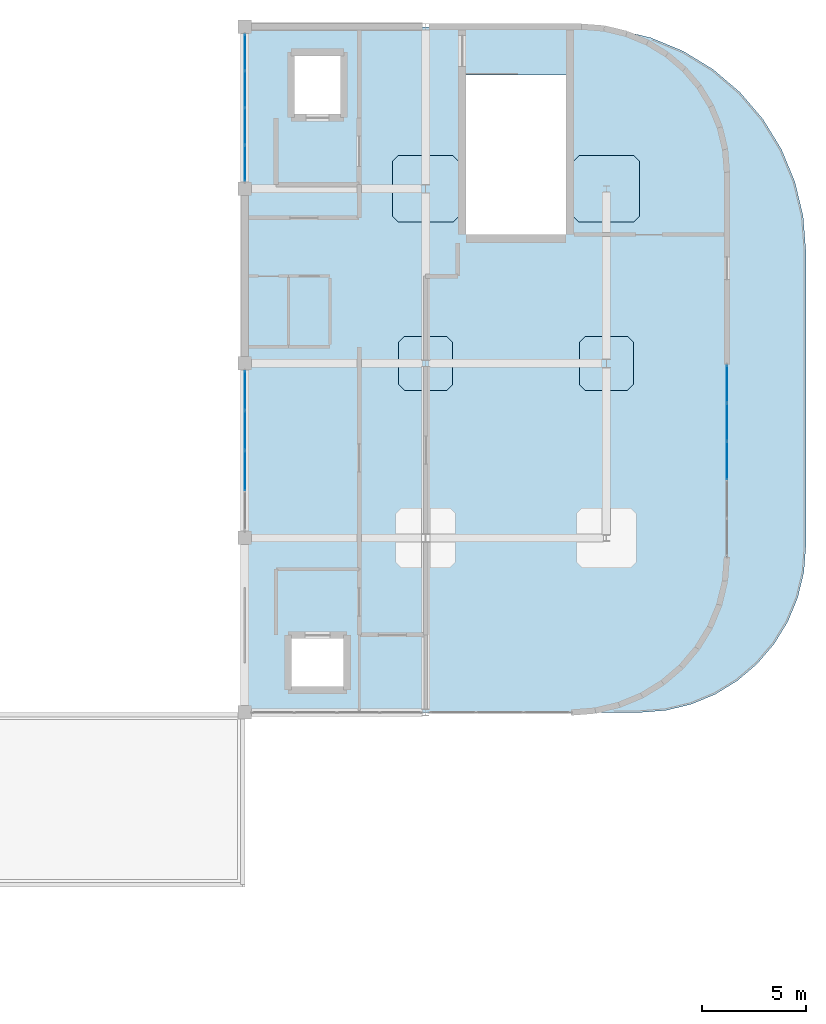
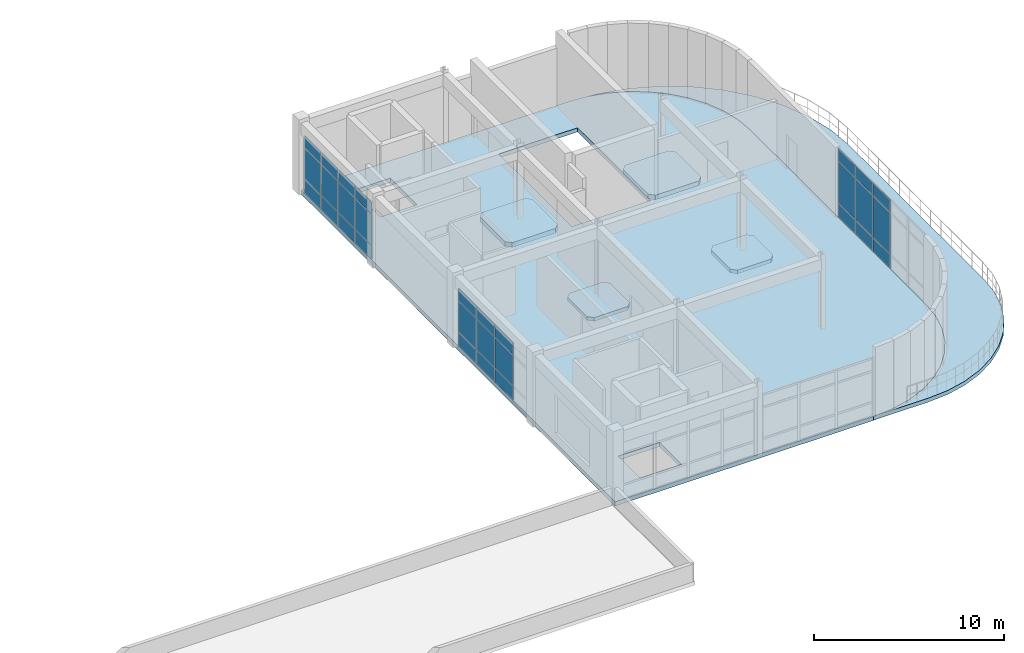
# One storey, part 35 of 41: 30 plates, 6 slabs, 3 elements without a shape of their own.
"""IFC4 building model written with IfcOpenShell, lengths in metres."""

from ifc_helpers import new_model, si_unit, derived_unit, direction, frame, origin, origin_2d, place, context, subcontext, project, spatial, polyline, rectangle, outline, extrude, material, layer, layer_set, type_object, element, aggregate, save


model = new_model("IFC4")

# Units and contexts
model_context = context("Model", 3, precision=1e-05, world=origin(), true_north=direction((0.0, 1.0)))
body_context = subcontext(model_context, "Body", "Model", "MODEL_VIEW")
ifc_project = project(units=[si_unit("LENGTHUNIT", "METRE"), si_unit("AREAUNIT", "SQUARE_METRE"), si_unit("VOLUMEUNIT", "CUBIC_METRE"), si_unit("PLANEANGLEUNIT", "RADIAN"), si_unit("MASSUNIT", "GRAM", prefix="KILO"), derived_unit("THERMALTRANSMITTANCEUNIT", [(si_unit("MASSUNIT", "GRAM", prefix="KILO"), 1), (si_unit("TIMEUNIT", "SECOND"), -3), (si_unit("THERMODYNAMICTEMPERATUREUNIT", "KELVIN"), -1)])], contexts=[model_context])

# Site, building, storey
site_placement = place(None, origin())
site = spatial("IfcSite", under=ifc_project, at=site_placement, CompositionType="ELEMENT")
building_placement = place(site_placement, origin())
building = spatial("IfcBuilding", under=site, at=building_placement, Name="Qinzheling Arcade Emporium", CompositionType="ELEMENT")
storey_placement = place(building_placement, frame((0.0, 0.0, 36.300048828125)))
storey = spatial("IfcBuildingStorey", under=building, at=storey_placement, Name="L08", CompositionType="ELEMENT", Elevation=36.300048828125)

# Slabs
ifc_material_1 = material(Name="Concrete C40", Category="concrete")
ifc_layer_1 = layer(ifc_material_1, 0.264892578125, Name="Concrete C40", Category="concrete")
ifc_layer_set_1 = layer_set([ifc_layer_1], Name="Concrete C40")
slab_type_1 = type_object("IfcSlabType", Name="Buying Office Flat Slab 265 C40", PredefinedType="FLOOR", material=ifc_layer_set_1)
slab_1_placement = place(storey_placement, frame((0.0, 0.0, -0.26513671875)))
element("IfcSlab", 1, at=slab_1_placement, inside=storey, type_object=slab_type_1, Name="Floor Slab SLB-L08-V6", PredefinedType="FLOOR", context=body_context, shape_type="SweptSolid", body=[
    extrude(outline(polyline([(104.39990234375, 106.800048828125), (104.39990234375, 73.800048828125), (120.10009765625, 73.800048828125), (121.27294921875, 73.89208984375), (122.41796875, 74.1669921875), (123.5048828125, 74.616943359375), (124.508056640625, 75.23193359375), (125.403076171875, 75.9970703125), (126.16796875, 76.89208984375), (126.782958984375, 77.89501953125), (127.23291015625, 78.98193359375), (127.508056640625, 80.126953125), (127.60009765625, 81.300048828125), (127.60009765625, 99.800048828125), (127.513916015625, 100.89501953125), (127.257080078125, 101.962890625), (126.8369140625, 102.97802734375), (126.262939453125, 103.9140625), (125.550048828125, 104.75), (124.714111328125, 105.462890625), (123.778076171875, 106.037109375), (122.762939453125, 106.45703125), (121.695068359375, 106.714111328125), (120.60009765625, 106.800048828125), (104.39990234375, 106.800048828125)]), holes=[polyline([(119.844970703125, 96.800048828125), (115.054931640625, 96.800048828125), (115.054931640625, 104.47509765625), (119.844970703125, 104.47509765625), (119.844970703125, 96.800048828125)]), polyline([(109.14990234375, 77.35009765625), (109.14990234375, 75.050048828125), (106.64990234375, 75.050048828125), (106.64990234375, 77.35009765625), (109.14990234375, 77.35009765625)]), polyline([(109.0, 102.60009765625), (106.800048828125, 102.60009765625), (106.800048828125, 105.39990234375), (109.0, 105.39990234375), (109.0, 102.60009765625)])]), origin(), (0.0, 0.0, 1.0), 0.26513671875),
])
ifc_layer_2 = layer(ifc_material_1, 0.235107421875, Name="Concrete C40", Category="concrete")
ifc_layer_set_2 = layer_set([ifc_layer_2], Name="Concrete C40")
slab_type_2 = type_object("IfcSlabType", Name="Column Head Drop Panel 2600x2600x235 C40", PredefinedType="USERDEFINED", material=ifc_layer_set_2)
slab_2_placement = place(storey_placement, frame((0.0, 0.0, -0.5)))
element("IfcSlab", 2, at=slab_2_placement, inside=storey, type_object=slab_type_2, Name="Column Drop Panel DP-L08-14-L", ObjectType="DROP_PANEL", PredefinedType="USERDEFINED", context=body_context, shape_type="SweptSolid", body=[
    extrude(outline(polyline([(112.080078125, 89.300048828125), (114.1201171875, 89.300048828125), (114.39990234375, 89.580078125), (114.39990234375, 91.6201171875), (114.1201171875, 91.89990234375), (112.080078125, 91.89990234375), (111.800048828125, 91.6201171875), (111.800048828125, 89.580078125), (112.080078125, 89.300048828125)])), origin(), (0.0, 0.0, 1.0), 0.23486328125),
])
slab_3_placement = place(storey_placement, frame((0.0, 0.0, -0.5)))
element("IfcSlab", 3, at=slab_3_placement, inside=storey, type_object=slab_type_2, Name="Column Drop Panel DP-L08-15-L", ObjectType="DROP_PANEL", PredefinedType="USERDEFINED", context=body_context, shape_type="SweptSolid", body=[
    extrude(outline(polyline([(120.780029296875, 89.300048828125), (122.820068359375, 89.300048828125), (123.10009765625, 89.580078125), (123.10009765625, 91.6201171875), (122.820068359375, 91.89990234375), (120.780029296875, 91.89990234375), (120.5, 91.6201171875), (120.5, 89.580078125), (120.780029296875, 89.300048828125)])), origin(), (0.0, 0.0, 1.0), 0.23486328125),
])
ifc_layer_3 = layer(ifc_material_1, 0.300048828125, Name="Concrete C40", Category="concrete")
ifc_layer_set_3 = layer_set([ifc_layer_3], Name="Concrete C40")
slab_type_3 = type_object("IfcSlabType", Name="Column Head Drop Panel 3200x3200x300 C40", PredefinedType="USERDEFINED", material=ifc_layer_set_3)
slab_4_placement = place(storey_placement, frame((0.0, 0.0, -0.56494140625)))
element("IfcSlab", 4, at=slab_4_placement, inside=storey, type_object=slab_type_3, Name="Column Drop Panel DP-L08-14-M", ObjectType="DROP_PANEL", PredefinedType="USERDEFINED", context=body_context, shape_type="SweptSolid", body=[
    extrude(outline(polyline([(111.780029296875, 97.39990234375), (114.419921875, 97.39990234375), (114.699951171875, 97.679931640625), (114.699951171875, 100.320068359375), (114.419921875, 100.60009765625), (111.780029296875, 100.60009765625), (111.5, 100.320068359375), (111.5, 97.679931640625), (111.780029296875, 97.39990234375)])), origin(), (0.0, 0.0, 1.0), 0.2998046875),
])
slab_5_placement = place(storey_placement, frame((0.0, 0.0, -0.56494140625)))
element("IfcSlab", 5, at=slab_5_placement, inside=storey, type_object=slab_type_3, Name="Column Drop Panel DP-L08-15-M", ObjectType="DROP_PANEL", PredefinedType="USERDEFINED", context=body_context, shape_type="SweptSolid", body=[
    extrude(outline(polyline([(120.47998046875, 97.39990234375), (123.1201171875, 97.39990234375), (123.39990234375, 97.679931640625), (123.39990234375, 100.320068359375), (123.1201171875, 100.60009765625), (120.47998046875, 100.60009765625), (120.199951171875, 100.320068359375), (120.199951171875, 97.679931640625), (120.47998046875, 97.39990234375)])), origin(), (0.0, 0.0, 1.0), 0.2998046875),
])

# Curtain wall, plates
ifc_material_2 = material(Name="Anodised aluminium and solar-control double glazing", Category="aluminium")
ifc_layer_4 = layer(ifc_material_2, 0.159912109375, Name="Anodised aluminium and solar-control double glazing", Category="aluminium")
ifc_layer_set_4 = layer_set([ifc_layer_4], Name="Anodised aluminium and solar-control double glazing")
curtain_wall_type = type_object("IfcCurtainWallType", Name="Arcade Portal Glazed Curtain Wall", PredefinedType="NOTDEFINED", material=ifc_layer_set_4)
curtain_wall_1_placement = place(storey_placement, origin())
curtain_wall_1 = element("IfcCurtainWall", 6, at=curtain_wall_1_placement, inside=storey, type_object=curtain_wall_type, Name="Curtain Wall CW-L08-443", PredefinedType="NOTDEFINED")
ifc_material_3 = material(Name="Laminated solar-control double glazing", Category="glass")
ifc_layer_5 = layer(ifc_material_3, 0.02392578125, Name="Laminated solar-control double glazing", Category="glass")
ifc_layer_set_5 = layer_set([ifc_layer_5], Name="Laminated solar-control double glazing")
plate_type_1 = type_object("IfcPlateType", Name="Low-E Double Glazed Curtain Panel 24mm", PredefinedType="CURTAIN_PANEL", material=ifc_layer_set_5)
plate_1_placement = place(storey_placement, frame((127.60009765625, 89.608154296875, 0.06005859375), z_axis=(0.0, 0.0, 1.0), x_axis=(0.0, -1.0, 0.0)))
plate_1 = element("IfcPlate", 7, at=plate_1_placement, type_object=plate_type_1, Name="CW05 panel 1.1", PredefinedType="CURTAIN_PANEL", context=body_context, shape_type="SweptSolid", body=[
    extrude(rectangle(XDim=1.759521484375, YDim=0.02392578125, at=origin_2d()), origin(), (0.0, 0.0, 1.0), 0.860107421875),
])
plate_2_placement = place(storey_placement, frame((127.60009765625, 89.608154296875, 0.97998046875), z_axis=(0.0, 0.0, 1.0), x_axis=(0.0, -1.0, 0.0)))
plate_2 = element("IfcPlate", 8, at=plate_2_placement, type_object=plate_type_1, Name="CW05 panel 1.2", PredefinedType="CURTAIN_PANEL", context=body_context, shape_type="SweptSolid", body=[
    extrude(rectangle(XDim=1.759521484375, YDim=0.02392578125, at=origin_2d()), origin(), (0.0, 0.0, 1.0), 2.6298828125),
])
plate_3_placement = place(storey_placement, frame((127.60009765625, 89.608154296875, 3.669921875), z_axis=(0.0, 0.0, 1.0), x_axis=(0.0, -1.0, 0.0)))
plate_3 = element("IfcPlate", 9, at=plate_3_placement, type_object=plate_type_1, Name="CW05 panel 1.3", PredefinedType="CURTAIN_PANEL", context=body_context, shape_type="SweptSolid", body=[
    extrude(rectangle(XDim=1.759521484375, YDim=0.02392578125, at=origin_2d()), origin(), (0.0, 0.0, 1.0), 0.760009765625),
])
plate_4_placement = place(storey_placement, frame((127.60009765625, 87.773681640625, 0.06005859375), z_axis=(0.0, 0.0, 1.0), x_axis=(0.0, -1.0, 0.0)))
plate_4 = element("IfcPlate", 10, at=plate_4_placement, type_object=plate_type_1, Name="CW05 panel 2.1", PredefinedType="CURTAIN_PANEL", context=body_context, shape_type="SweptSolid", body=[
    extrude(rectangle(XDim=1.78955078125, YDim=0.02392578125, at=origin_2d()), origin(), (0.0, 0.0, 1.0), 0.860107421875),
])
plate_5_placement = place(storey_placement, frame((127.60009765625, 87.773681640625, 0.97998046875), z_axis=(0.0, 0.0, 1.0), x_axis=(0.0, -1.0, 0.0)))
plate_5 = element("IfcPlate", 11, at=plate_5_placement, type_object=plate_type_1, Name="CW05 panel 2.2", PredefinedType="CURTAIN_PANEL", context=body_context, shape_type="SweptSolid", body=[
    extrude(rectangle(XDim=1.78955078125, YDim=0.02392578125, at=origin_2d()), origin(), (0.0, 0.0, 1.0), 2.6298828125),
])
plate_6_placement = place(storey_placement, frame((127.60009765625, 87.773681640625, 3.669921875), z_axis=(0.0, 0.0, 1.0), x_axis=(0.0, -1.0, 0.0)))
plate_6 = element("IfcPlate", 12, at=plate_6_placement, type_object=plate_type_1, Name="CW05 panel 2.3", PredefinedType="CURTAIN_PANEL", context=body_context, shape_type="SweptSolid", body=[
    extrude(rectangle(XDim=1.78955078125, YDim=0.02392578125, at=origin_2d()), origin(), (0.0, 0.0, 1.0), 0.760009765625),
])
plate_7_placement = place(storey_placement, frame((127.60009765625, 85.924072265625, 0.06005859375), z_axis=(0.0, 0.0, 1.0), x_axis=(0.0, -1.0, 0.0)))
plate_7 = element("IfcPlate", 13, at=plate_7_placement, type_object=plate_type_1, Name="CW05 panel 3.1", PredefinedType="CURTAIN_PANEL", context=body_context, shape_type="SweptSolid", body=[
    extrude(rectangle(XDim=1.78955078125, YDim=0.02392578125, at=origin_2d()), origin(), (0.0, 0.0, 1.0), 0.860107421875),
])
plate_8_placement = place(storey_placement, frame((127.60009765625, 85.924072265625, 0.97998046875), z_axis=(0.0, 0.0, 1.0), x_axis=(0.0, -1.0, 0.0)))
plate_8 = element("IfcPlate", 14, at=plate_8_placement, type_object=plate_type_1, Name="CW05 panel 3.2", PredefinedType="CURTAIN_PANEL", context=body_context, shape_type="SweptSolid", body=[
    extrude(rectangle(XDim=1.78955078125, YDim=0.02392578125, at=origin_2d()), origin(), (0.0, 0.0, 1.0), 2.6298828125),
])
plate_9_placement = place(storey_placement, frame((127.60009765625, 85.924072265625, 3.669921875), z_axis=(0.0, 0.0, 1.0), x_axis=(0.0, -1.0, 0.0)))
plate_9 = element("IfcPlate", 15, at=plate_9_placement, type_object=plate_type_1, Name="CW05 panel 3.3", PredefinedType="CURTAIN_PANEL", context=body_context, shape_type="SweptSolid", body=[
    extrude(rectangle(XDim=1.78955078125, YDim=0.02392578125, at=origin_2d()), origin(), (0.0, 0.0, 1.0), 0.760009765625),
])
aggregate(curtain_wall_1, [plate_1, plate_2, plate_3, plate_4, plate_5, plate_6, plate_7, plate_8, plate_9])

curtain_wall_2_placement = place(storey_placement, origin())
curtain_wall_2 = element("IfcCurtainWall", 16, at=curtain_wall_2_placement, inside=storey, type_object=curtain_wall_type, Name="Curtain Wall CW-L08-446", PredefinedType="NOTDEFINED")
ifc_layer_6 = layer(ifc_material_3, 0.027099609375, Name="Laminated solar-control double glazing", Category="glass")
ifc_layer_set_6 = layer_set([ifc_layer_6], Name="Laminated solar-control double glazing")
plate_type_2 = type_object("IfcPlateType", Name="Low-E Double Glazed Curtain Panel 27mm", PredefinedType="CURTAIN_PANEL", material=ifc_layer_set_6)
plate_10_placement = place(storey_placement, frame((104.39990234375, 85.431640625, 0.06005859375), z_axis=(0.0, 0.0, 1.0), x_axis=(0.0, 1.0, 0.0)))
plate_10 = element("IfcPlate", 17, at=plate_10_placement, type_object=plate_type_2, Name="CW05 panel 2.1", PredefinedType="CURTAIN_PANEL", context=body_context, shape_type="SweptSolid", body=[
    extrude(rectangle(XDim=1.87646484375, YDim=0.027099609375, at=origin_2d()), origin(), (0.0, 0.0, 1.0), 0.860107421875),
])
plate_11_placement = place(storey_placement, frame((104.39990234375, 85.431640625, 0.97998046875), z_axis=(0.0, 0.0, 1.0), x_axis=(0.0, 1.0, 0.0)))
plate_11 = element("IfcPlate", 18, at=plate_11_placement, type_object=plate_type_2, Name="CW05 panel 2.2", PredefinedType="CURTAIN_PANEL", context=body_context, shape_type="SweptSolid", body=[
    extrude(rectangle(XDim=1.87646484375, YDim=0.027099609375, at=origin_2d()), origin(), (0.0, 0.0, 1.0), 1.93505859375),
])
plate_12_placement = place(storey_placement, frame((104.39990234375, 85.431640625, 2.97509765625), z_axis=(0.0, 0.0, 1.0), x_axis=(0.0, 1.0, 0.0)))
plate_12 = element("IfcPlate", 19, at=plate_12_placement, type_object=plate_type_2, Name="CW05 panel 2.3", PredefinedType="CURTAIN_PANEL", context=body_context, shape_type="SweptSolid", body=[
    extrude(rectangle(XDim=1.87646484375, YDim=0.027099609375, at=origin_2d()), origin(), (0.0, 0.0, 1.0), 0.760009765625),
])
plate_13_placement = place(storey_placement, frame((104.39990234375, 87.3681640625, 0.06005859375), z_axis=(0.0, 0.0, 1.0), x_axis=(0.0, 1.0, 0.0)))
plate_13 = element("IfcPlate", 20, at=plate_13_placement, type_object=plate_type_2, Name="CW05 panel 3.1", PredefinedType="CURTAIN_PANEL", context=body_context, shape_type="SweptSolid", body=[
    extrude(rectangle(XDim=1.87646484375, YDim=0.027099609375, at=origin_2d()), origin(), (0.0, 0.0, 1.0), 0.860107421875),
])
plate_14_placement = place(storey_placement, frame((104.39990234375, 87.3681640625, 0.97998046875), z_axis=(0.0, 0.0, 1.0), x_axis=(0.0, 1.0, 0.0)))
plate_14 = element("IfcPlate", 21, at=plate_14_placement, type_object=plate_type_2, Name="CW05 panel 3.2", PredefinedType="CURTAIN_PANEL", context=body_context, shape_type="SweptSolid", body=[
    extrude(rectangle(XDim=1.87646484375, YDim=0.027099609375, at=origin_2d()), origin(), (0.0, 0.0, 1.0), 1.93505859375),
])
plate_15_placement = place(storey_placement, frame((104.39990234375, 87.3681640625, 2.97509765625), z_axis=(0.0, 0.0, 1.0), x_axis=(0.0, 1.0, 0.0)))
plate_15 = element("IfcPlate", 22, at=plate_15_placement, type_object=plate_type_2, Name="CW05 panel 3.3", PredefinedType="CURTAIN_PANEL", context=body_context, shape_type="SweptSolid", body=[
    extrude(rectangle(XDim=1.87646484375, YDim=0.027099609375, at=origin_2d()), origin(), (0.0, 0.0, 1.0), 0.760009765625),
])
plate_16_placement = place(storey_placement, frame((104.39990234375, 89.289794921875, 0.06005859375), z_axis=(0.0, 0.0, 1.0), x_axis=(0.0, 1.0, 0.0)))
plate_16 = element("IfcPlate", 23, at=plate_16_placement, type_object=plate_type_2, Name="CW05 panel 4.1", PredefinedType="CURTAIN_PANEL", context=body_context, shape_type="SweptSolid", body=[
    extrude(rectangle(XDim=1.846435546875, YDim=0.027099609375, at=origin_2d()), origin(), (0.0, 0.0, 1.0), 0.860107421875),
])
plate_17_placement = place(storey_placement, frame((104.39990234375, 89.289794921875, 0.97998046875), z_axis=(0.0, 0.0, 1.0), x_axis=(0.0, 1.0, 0.0)))
plate_17 = element("IfcPlate", 24, at=plate_17_placement, type_object=plate_type_2, Name="CW05 panel 4.2", PredefinedType="CURTAIN_PANEL", context=body_context, shape_type="SweptSolid", body=[
    extrude(rectangle(XDim=1.846435546875, YDim=0.027099609375, at=origin_2d()), origin(), (0.0, 0.0, 1.0), 1.93505859375),
])
plate_18_placement = place(storey_placement, frame((104.39990234375, 89.289794921875, 2.97509765625), z_axis=(0.0, 0.0, 1.0), x_axis=(0.0, 1.0, 0.0)))
plate_18 = element("IfcPlate", 25, at=plate_18_placement, type_object=plate_type_2, Name="CW05 panel 4.3", PredefinedType="CURTAIN_PANEL", context=body_context, shape_type="SweptSolid", body=[
    extrude(rectangle(XDim=1.846435546875, YDim=0.027099609375, at=origin_2d()), origin(), (0.0, 0.0, 1.0), 0.760009765625),
])
aggregate(curtain_wall_2, [plate_10, plate_11, plate_12, plate_13, plate_14, plate_15, plate_16, plate_17, plate_18])

curtain_wall_3_placement = place(storey_placement, origin())
curtain_wall_3 = element("IfcCurtainWall", 26, at=curtain_wall_3_placement, inside=storey, type_object=curtain_wall_type, Name="Curtain Wall CW-L08-447", PredefinedType="NOTDEFINED")
ifc_layer_7 = layer(ifc_material_3, 0.028076171875, Name="Laminated solar-control double glazing", Category="glass")
ifc_layer_set_7 = layer_set([ifc_layer_7], Name="Laminated solar-control double glazing")
plate_type_3 = type_object("IfcPlateType", Name="Low-E Double Glazed Curtain Panel 28mm", PredefinedType="CURTAIN_PANEL", material=ifc_layer_set_7)
plate_19_placement = place(storey_placement, frame((104.39990234375, 100.2353515625, 0.06005859375), z_axis=(0.0, 0.0, 1.0), x_axis=(0.0, 1.0, 0.0)))
plate_19 = element("IfcPlate", 27, at=plate_19_placement, type_object=plate_type_3, Name="CW05 panel 1.1", PredefinedType="CURTAIN_PANEL", context=body_context, shape_type="SweptSolid", body=[
    extrude(rectangle(XDim=1.696533203125, YDim=0.028076171875, at=origin_2d()), origin(), (0.0, 0.0, 1.0), 0.860107421875),
])
plate_20_placement = place(storey_placement, frame((104.39990234375, 100.2353515625, 0.97998046875), z_axis=(0.0, 0.0, 1.0), x_axis=(0.0, 1.0, 0.0)))
plate_20 = element("IfcPlate", 28, at=plate_20_placement, type_object=plate_type_3, Name="CW05 panel 1.2", PredefinedType="CURTAIN_PANEL", context=body_context, shape_type="SweptSolid", body=[
    extrude(rectangle(XDim=1.696533203125, YDim=0.028076171875, at=origin_2d()), origin(), (0.0, 0.0, 1.0), 1.93505859375),
])
plate_21_placement = place(storey_placement, frame((104.39990234375, 100.2353515625, 2.97509765625), z_axis=(0.0, 0.0, 1.0), x_axis=(0.0, 1.0, 0.0)))
plate_21 = element("IfcPlate", 29, at=plate_21_placement, type_object=plate_type_3, Name="CW05 panel 1.3", PredefinedType="CURTAIN_PANEL", context=body_context, shape_type="SweptSolid", body=[
    extrude(rectangle(XDim=1.696533203125, YDim=0.028076171875, at=origin_2d()), origin(), (0.0, 0.0, 1.0), 0.760009765625),
])
plate_22_placement = place(storey_placement, frame((104.39990234375, 102.0068359375, 0.06005859375), z_axis=(0.0, 0.0, 1.0), x_axis=(0.0, 1.0, 0.0)))
plate_22 = element("IfcPlate", 30, at=plate_22_placement, type_object=plate_type_3, Name="CW05 panel 2.1", PredefinedType="CURTAIN_PANEL", context=body_context, shape_type="SweptSolid", body=[
    extrude(rectangle(XDim=1.7265625, YDim=0.028076171875, at=origin_2d()), origin(), (0.0, 0.0, 1.0), 0.860107421875),
])
plate_23_placement = place(storey_placement, frame((104.39990234375, 102.0068359375, 0.97998046875), z_axis=(0.0, 0.0, 1.0), x_axis=(0.0, 1.0, 0.0)))
plate_23 = element("IfcPlate", 31, at=plate_23_placement, type_object=plate_type_3, Name="CW05 panel 2.2", PredefinedType="CURTAIN_PANEL", context=body_context, shape_type="SweptSolid", body=[
    extrude(rectangle(XDim=1.7265625, YDim=0.028076171875, at=origin_2d()), origin(), (0.0, 0.0, 1.0), 1.93505859375),
])
plate_24_placement = place(storey_placement, frame((104.39990234375, 102.0068359375, 2.97509765625), z_axis=(0.0, 0.0, 1.0), x_axis=(0.0, 1.0, 0.0)))
plate_24 = element("IfcPlate", 32, at=plate_24_placement, type_object=plate_type_3, Name="CW05 panel 2.3", PredefinedType="CURTAIN_PANEL", context=body_context, shape_type="SweptSolid", body=[
    extrude(rectangle(XDim=1.7265625, YDim=0.028076171875, at=origin_2d()), origin(), (0.0, 0.0, 1.0), 0.760009765625),
])
plate_25_placement = place(storey_placement, frame((104.39990234375, 103.793212890625, 0.06005859375), z_axis=(0.0, 0.0, 1.0), x_axis=(0.0, 1.0, 0.0)))
plate_25 = element("IfcPlate", 33, at=plate_25_placement, type_object=plate_type_3, Name="CW05 panel 3.1", PredefinedType="CURTAIN_PANEL", context=body_context, shape_type="SweptSolid", body=[
    extrude(rectangle(XDim=1.7265625, YDim=0.028076171875, at=origin_2d()), origin(), (0.0, 0.0, 1.0), 0.860107421875),
])
plate_26_placement = place(storey_placement, frame((104.39990234375, 103.793212890625, 0.97998046875), z_axis=(0.0, 0.0, 1.0), x_axis=(0.0, 1.0, 0.0)))
plate_26 = element("IfcPlate", 34, at=plate_26_placement, type_object=plate_type_3, Name="CW05 panel 3.2", PredefinedType="CURTAIN_PANEL", context=body_context, shape_type="SweptSolid", body=[
    extrude(rectangle(XDim=1.7265625, YDim=0.028076171875, at=origin_2d()), origin(), (0.0, 0.0, 1.0), 1.93505859375),
])
plate_27_placement = place(storey_placement, frame((104.39990234375, 103.793212890625, 2.97509765625), z_axis=(0.0, 0.0, 1.0), x_axis=(0.0, 1.0, 0.0)))
plate_27 = element("IfcPlate", 35, at=plate_27_placement, type_object=plate_type_3, Name="CW05 panel 3.3", PredefinedType="CURTAIN_PANEL", context=body_context, shape_type="SweptSolid", body=[
    extrude(rectangle(XDim=1.7265625, YDim=0.028076171875, at=origin_2d()), origin(), (0.0, 0.0, 1.0), 0.760009765625),
])
plate_28_placement = place(storey_placement, frame((104.39990234375, 105.564697265625, 0.06005859375), z_axis=(0.0, 0.0, 1.0), x_axis=(0.0, 1.0, 0.0)))
plate_28 = element("IfcPlate", 36, at=plate_28_placement, type_object=plate_type_3, Name="CW05 panel 4.1", PredefinedType="CURTAIN_PANEL", context=body_context, shape_type="SweptSolid", body=[
    extrude(rectangle(XDim=1.696533203125, YDim=0.028076171875, at=origin_2d()), origin(), (0.0, 0.0, 1.0), 0.860107421875),
])
plate_29_placement = place(storey_placement, frame((104.39990234375, 105.564697265625, 0.97998046875), z_axis=(0.0, 0.0, 1.0), x_axis=(0.0, 1.0, 0.0)))
plate_29 = element("IfcPlate", 37, at=plate_29_placement, type_object=plate_type_3, Name="CW05 panel 4.2", PredefinedType="CURTAIN_PANEL", context=body_context, shape_type="SweptSolid", body=[
    extrude(rectangle(XDim=1.696533203125, YDim=0.028076171875, at=origin_2d()), origin(), (0.0, 0.0, 1.0), 1.93505859375),
])
plate_30_placement = place(storey_placement, frame((104.39990234375, 105.564697265625, 2.97509765625), z_axis=(0.0, 0.0, 1.0), x_axis=(0.0, 1.0, 0.0)))
plate_30 = element("IfcPlate", 38, at=plate_30_placement, type_object=plate_type_3, Name="CW05 panel 4.3", PredefinedType="CURTAIN_PANEL", context=body_context, shape_type="SweptSolid", body=[
    extrude(rectangle(XDim=1.696533203125, YDim=0.028076171875, at=origin_2d()), origin(), (0.0, 0.0, 1.0), 0.760009765625),
])
aggregate(curtain_wall_3, [plate_19, plate_20, plate_21, plate_22, plate_23, plate_24, plate_25, plate_26, plate_27, plate_28, plate_29, plate_30])

# Slab
ifc_layer_8 = layer(ifc_material_1, 0.25, Name="Concrete C40", Category="concrete")
ifc_layer_set_8 = layer_set([ifc_layer_8], Name="Concrete C40")
slab_type_4 = type_object("IfcSlabType", Name="Outdoor Dining Terrace Slab 250 C40", PredefinedType="FLOOR", material=ifc_layer_set_8)
slab_6_placement = place(storey_placement, frame((0.0, 0.0, -0.25)))
element("IfcSlab", 39, at=slab_6_placement, inside=storey, type_object=slab_type_4, Name="Outdoor Terrace SLB-TR-V6-L08", PredefinedType="FLOOR", context=body_context, shape_type="SweptSolid", body=[
    extrude(outline(polyline([(122.2890625, 106.6669921875), (121.696044921875, 106.714111328125), (122.762939453125, 106.45703125), (123.778076171875, 106.037109375), (124.714111328125, 105.462890625), (125.550048828125, 104.75), (126.262939453125, 103.9140625), (126.8369140625, 102.97802734375), (127.257080078125, 101.962890625), (127.513916015625, 100.89501953125), (127.60009765625, 99.800048828125), (127.60009765625, 81.300048828125), (127.508056640625, 80.126953125), (127.23291015625, 78.98193359375), (126.782958984375, 77.89501953125), (126.16796875, 76.89208984375), (125.403076171875, 75.9970703125), (124.508056640625, 75.23193359375), (123.5048828125, 74.616943359375), (122.41796875, 74.1669921875), (121.27294921875, 73.89208984375), (120.10009765625, 73.800048828125), (123.39990234375, 73.800048828125), (124.65087890625, 73.89794921875), (125.8720703125, 74.19189453125), (127.031982421875, 74.672119140625), (128.10205078125, 75.327880859375), (129.056884765625, 76.14306640625), (129.8720703125, 77.097900390625), (130.528076171875, 78.16796875), (131.008056640625, 79.327880859375), (131.302001953125, 80.549072265625), (131.39990234375, 81.800048828125), (131.39990234375, 96.0), (131.26708984375, 97.68896484375), (130.87109375, 99.3369140625), (130.222900390625, 100.903076171875), (129.3369140625, 102.347900390625), (128.237060546875, 103.636962890625), (126.947998046875, 104.737060546875), (125.5029296875, 105.623046875), (123.93701171875, 106.27099609375), (122.2890625, 106.6669921875)])), origin(), (0.0, 0.0, 1.0), 0.25),
])

save(model, "model.ifc")
